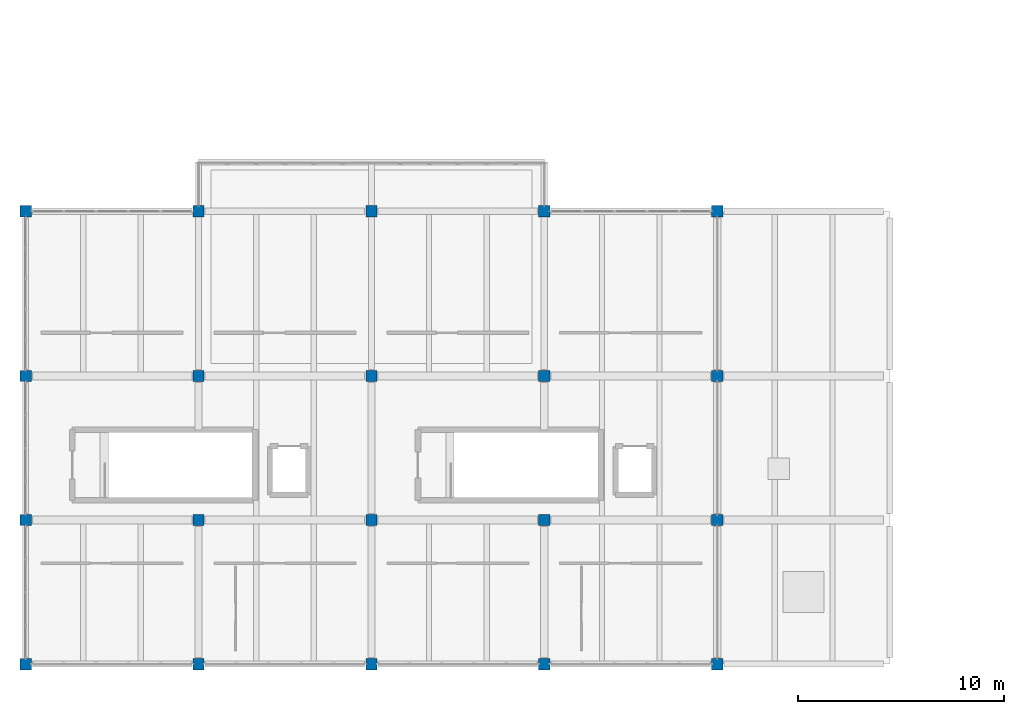
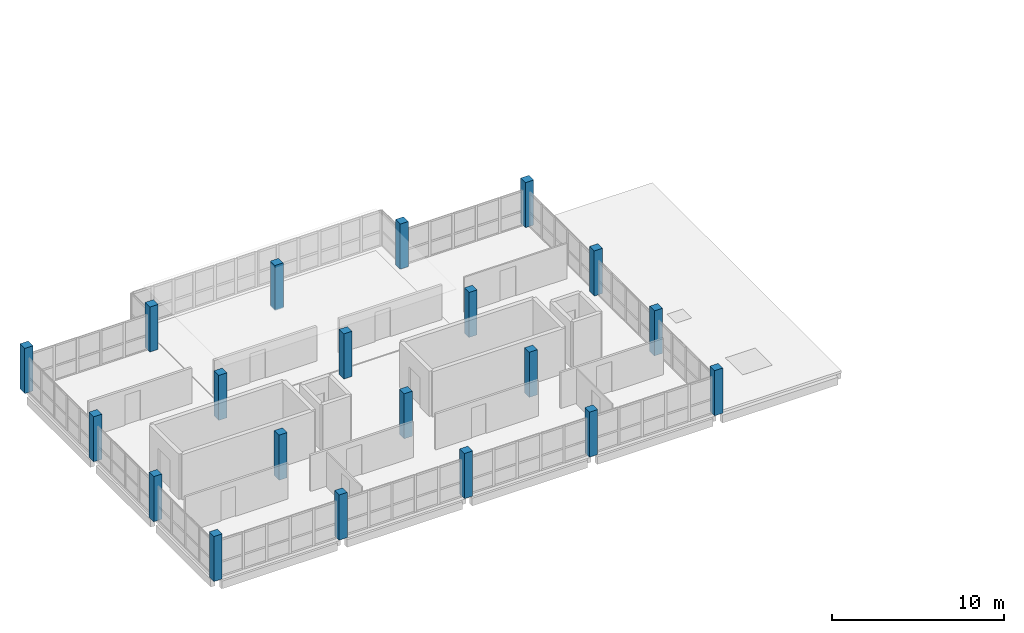
# One storey, part 1 of 24: 20 columns.
"""IFC4 building model written with IfcOpenShell, lengths in metres."""

from ifc_helpers import new_model, si_unit, direction, frame, origin, origin_2d, place, context, subcontext, project, spatial, rectangle, extrude, material, material_profile, profile_set, type_object, element, save


model = new_model("IFC4")

# Units and contexts
model_context = context("Model", 3, precision=1e-05, world=origin(), true_north=direction((0.0, 1.0)))
body_context = subcontext(model_context, "Body", "Model", "MODEL_VIEW")
ifc_project = project(units=[si_unit("LENGTHUNIT", "METRE"), si_unit("AREAUNIT", "SQUARE_METRE"), si_unit("VOLUMEUNIT", "CUBIC_METRE"), si_unit("PLANEANGLEUNIT", "RADIAN"), si_unit("MASSUNIT", "GRAM", prefix="KILO"), si_unit("THERMODYNAMICTEMPERATUREUNIT", "KELVIN"), si_unit("POWERUNIT", "WATT")], contexts=[model_context])

# Site, building, storey
site_placement = place(None, origin())
site = spatial("IfcSite", under=ifc_project, at=site_placement, CompositionType="ELEMENT")
building_placement = place(site_placement, origin())
building = spatial("IfcBuilding", under=site, at=building_placement, Name="Mavoryth Pier Ferry Terminal", CompositionType="ELEMENT")
storey_placement = place(building_placement, frame((0.0, 0.0, 16.320068359375)))
storey = spatial("IfcBuildingStorey", under=building, at=storey_placement, Name="L04", CompositionType="ELEMENT", Elevation=16.320068359375)

# Columns
ifc_material = material(Name="Concrete C40/50", Category="concrete")
ifc_material_profile = material_profile(ifc_material, rectangle(XDim=0.550048828125, YDim=0.550048828125, at=origin_2d()), Name="RC 550x550", Category="concrete")
ifc_profile_set = profile_set([ifc_material_profile], Name="Concrete C40/50 - RC 550x550")
column_type = type_object("IfcColumnType", Name="Col-RC-550x550", PredefinedType="COLUMN", material=ifc_profile_set)
for number, where, z_axis, x_axis, name in (
    (1, (42.0, 0.0, 0.0), (0.0, 0.0, 1.0), (1.0, 0.0, 0.0), "Column C04-CC06-651"),
    (2, (42.0, 7.0, 0.0), (0.0, 0.0, 1.0), (1.0, 0.0, 0.0), "Column C04-CC06-652"),
    (3, (42.0, 14.0, 0.0), (0.0, 0.0, 1.0), (1.0, 0.0, 0.0), "Column C04-CC06-653"),
    (4, (42.0, 22.0, 0.0), (0.0, 0.0, 1.0), (1.0, 0.0, 0.0), "Column C04-CC06-654"),
    (5, (50.39990234375, 0.0, 0.0), (0.0, 0.0, 1.0), (1.0, 0.0, 0.0), "Column C04-CC06-655"),
    (6, (50.39990234375, 7.0, 0.0), (0.0, 0.0, 1.0), (1.0, 0.0, 0.0), "Column C04-CC06-656"),
    (7, (50.39990234375, 14.0, 0.0), (0.0, 0.0, 1.0), (1.0, 0.0, 0.0), "Column C04-CC06-657"),
    (8, (50.39990234375, 22.0, 0.0), (0.0, 0.0, 1.0), (1.0, 0.0, 0.0), "Column C04-CC06-658"),
    (9, (58.800048828125, 0.0, 0.0), (0.0, 0.0, 1.0), (1.0, 0.0, 0.0), "Column C04-CC06-659"),
    (10, (58.800048828125, 7.0, 0.0), (0.0, 0.0, 1.0), (1.0, 0.0, 0.0), "Column C04-CC06-660"),
    (11, (58.800048828125, 14.0, 0.0), (0.0, 0.0, 1.0), (1.0, 0.0, 0.0), "Column C04-CC06-661"),
    (12, (58.800048828125, 22.0, 0.0), (0.0, 0.0, 1.0), (1.0, 0.0, 0.0), "Column C04-CC06-662"),
    (13, (67.199951171875, 0.0, 0.0), (0.0, 0.0, 1.0), (1.0, 0.0, 0.0), "Column C04-CC06-663"),
    (14, (67.199951171875, 7.0, 0.0), (0.0, 0.0, 1.0), (1.0, 0.0, 0.0), "Column C04-CC06-664"),
    (15, (67.199951171875, 14.0, 0.0), (0.0, 0.0, 1.0), (1.0, 0.0, 0.0), "Column C04-CC06-665"),
    (16, (67.199951171875, 22.0, 0.0), (0.0, 0.0, 1.0), (1.0, 0.0, 0.0), "Column C04-CC06-666"),
    (17, (75.60009765625, 0.0, 0.0), (0.0, 0.0, 1.0), (1.0, 0.0, 0.0), "Column C04-CC06-667"),
    (18, (75.60009765625, 7.0, 0.0), (0.0, 0.0, 1.0), (1.0, 0.0, 0.0), "Column C04-CC06-668"),
    (19, (75.60009765625, 14.0, 0.0), (0.0, 0.0, 1.0), (1.0, 0.0, 0.0), "Column C04-CC06-669"),
    (20, (75.60009765625, 22.0, 0.0), (0.0, 0.0, 1.0), (1.0, 0.0, 0.0), "Column C04-CC06-670"),
):
    element("IfcColumn", number, at=place(storey_placement, frame(where, z_axis=z_axis, x_axis=x_axis)), inside=storey, type_object=column_type, Name=name, PredefinedType="COLUMN", context=body_context, shape_type="SweptSolid", body=[
        extrude(rectangle(XDim=0.550048828125, YDim=0.550048828125, at=origin_2d()), origin(), (0.0, 0.0, 1.0), 3.199951171875),
    ])

save(model, "model.ifc")
